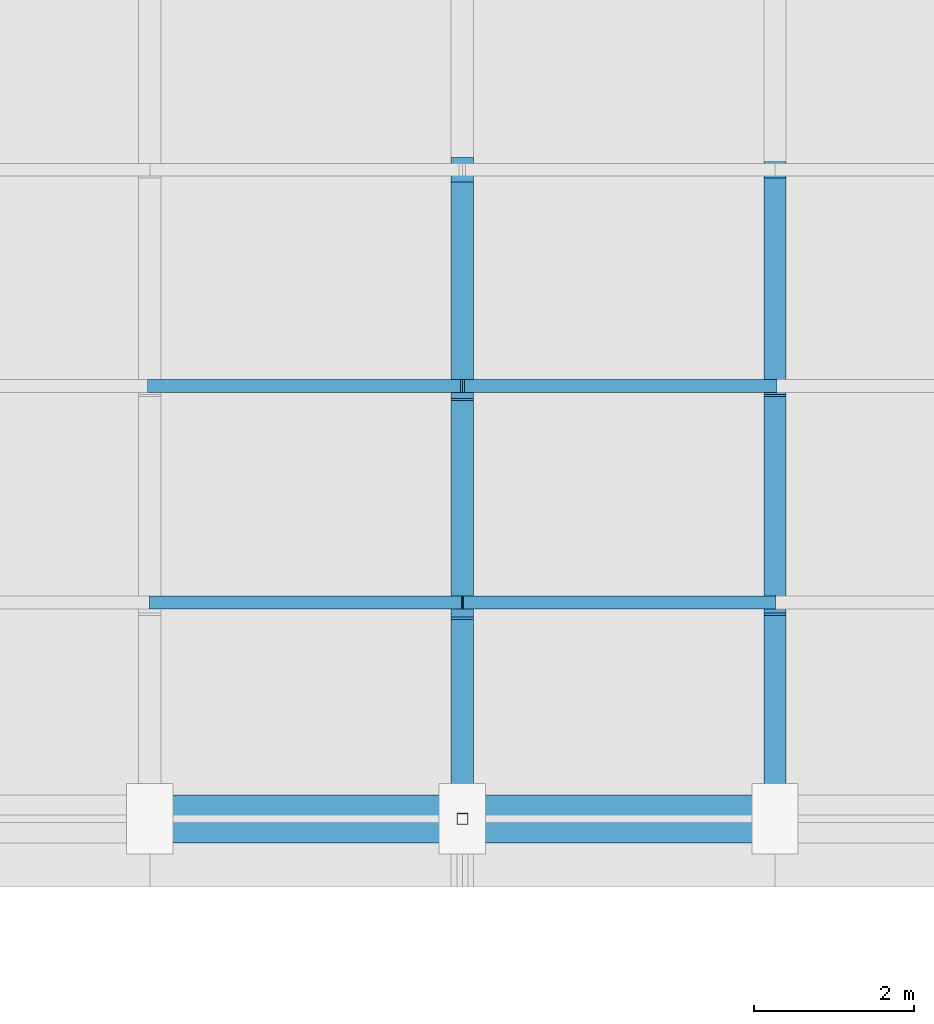
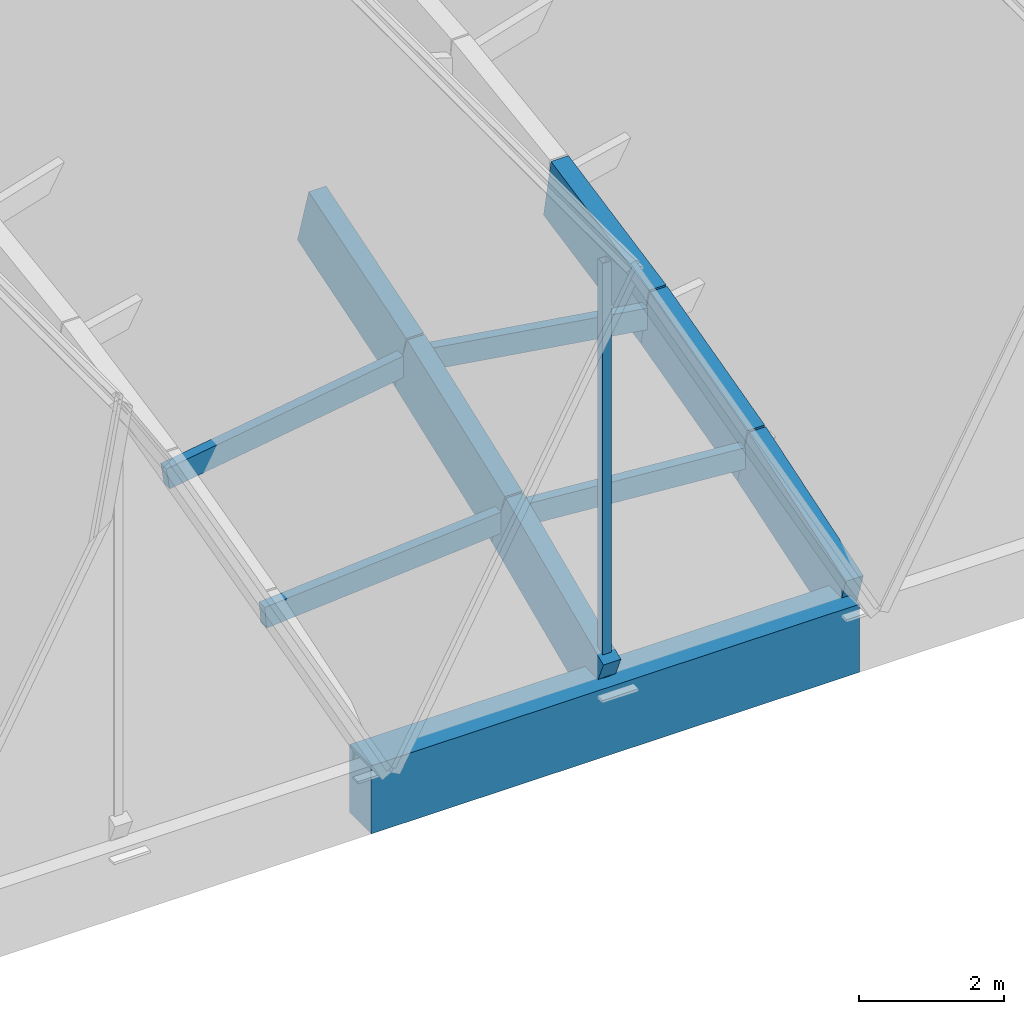
# One storey, part 5 of 39: 11 members, 1 beam.
"""IFC4 building model written with IfcOpenShell, lengths in metres."""

from ifc_helpers import new_model, si_unit, direction, frame, origin, origin_2d, place, context, subcontext, project, spatial, rectangle, hollow_rectangle, extrude, material, material_profile, profile_set, type_object, element, save


model = new_model("IFC4")

# Units and contexts
model_context = context("Model", 3, precision=1e-05, world=origin(), true_north=direction((0.0, 1.0)))
body_context = subcontext(model_context, "Body", "Model", "MODEL_VIEW")
ifc_project = project(units=[si_unit("LENGTHUNIT", "METRE"), si_unit("AREAUNIT", "SQUARE_METRE"), si_unit("VOLUMEUNIT", "CUBIC_METRE"), si_unit("PLANEANGLEUNIT", "RADIAN"), si_unit("MASSUNIT", "GRAM", prefix="KILO")], contexts=[model_context])

# Site, building, storey
site_placement = place(None, origin())
site = spatial("IfcSite", under=ifc_project, at=site_placement, CompositionType="ELEMENT")
building_placement = place(site_placement, origin())
building = spatial("IfcBuilding", under=site, at=building_placement, Name="Tizgana Railside Sports Hall", CompositionType="ELEMENT")
storey_placement = place(building_placement, frame((0.0, 0.0, 23.699951171875)))
storey = spatial("IfcBuildingStorey", under=building, at=storey_placement, Name="RF", CompositionType="ELEMENT", Elevation=23.699951171875)

# Beam
ifc_material_1 = material(Name="Concrete C40/50", Category="concrete")
ifc_material_profile_1 = material_profile(ifc_material_1, rectangle(XDim=0.60009765625, YDim=1.14990234375, at=origin_2d()), Name="RCB 600x1150")
ifc_profile_set_1 = profile_set([ifc_material_profile_1], Name="Concrete C40/50")
beam_type = type_object("IfcBeamType", Name="Concrete Beam RCB 600x1150", PredefinedType="BEAM", material=ifc_profile_set_1)
beam_placement = place(storey_placement, frame((23.39990234375, 40.800048828125, -8.675048828125), z_axis=(1.0, 0.0, 0.0), x_axis=(0.0, 1.0, 0.0)))
element("IfcBeam", 1, at=beam_placement, inside=storey, type_object=beam_type, Name="RF BEM-1213", PredefinedType="BEAM", context=body_context, shape_type="SweptSolid", body=[
    extrude(rectangle(XDim=0.60009765625, YDim=1.14990234375, at=origin_2d()), origin(), (0.0, 0.0, 1.0), 7.800048828125),
])

# Members
ifc_material_2 = material(Name="Glulam GL32h", Category="wood")
ifc_material_profile_2 = material_profile(ifc_material_2, rectangle(XDim=0.280029296875, YDim=1.050048828125, at=origin_2d()), Name="GL 280x1050")
ifc_profile_set_2 = profile_set([ifc_material_profile_2], Name="Glulam GL32h")
member_type_1 = type_object("IfcMemberType", Name="Glulam Arch Segment GL 280x1050", PredefinedType="USERDEFINED", material=ifc_profile_set_2)
member_1_placement = place(storey_placement, frame((27.300048828125, 40.800048828125, -8.25), z_axis=(0.0, 0.91644048833, 0.400171002635), x_axis=(-1.0, 0.0, 0.0)))
element("IfcMember", 2, at=member_1_placement, inside=storey, type_object=member_type_1, Name="RF V1 Arch Chord MEM-0115", ObjectType="ARCH_SEGMENT", PredefinedType="USERDEFINED", context=body_context, shape_type="SweptSolid", body=[
    extrude(rectangle(XDim=0.280029296875, YDim=1.050048828125, at=origin_2d()), origin(), (0.0, 0.0, 1.0), 2.946044921875),
])
member_2_placement = place(storey_placement, frame((27.300048828125, 43.5, -7.071044921875), z_axis=(0.0, 0.936999478025, 0.349330757564), x_axis=(-1.0, 0.0, 0.0)))
element("IfcMember", 3, at=member_2_placement, inside=storey, type_object=member_type_1, Name="RF V1 Arch Chord MEM-0116", ObjectType="ARCH_SEGMENT", PredefinedType="USERDEFINED", context=body_context, shape_type="SweptSolid", body=[
    extrude(rectangle(XDim=0.280029296875, YDim=1.050048828125, at=origin_2d()), origin(), (0.0, 0.0, 1.0), 2.881591796875),
])
member_3_placement = place(storey_placement, frame((27.300048828125, 46.199951171875, -6.064453125), z_axis=(0.0, 0.954601237081, 0.297886686786), x_axis=(-1.0, 0.0, 0.0)))
element("IfcMember", 4, at=member_3_placement, inside=storey, type_object=member_type_1, Name="RF V1 Arch Chord MEM-0117", ObjectType="ARCH_SEGMENT", PredefinedType="USERDEFINED", context=body_context, shape_type="SweptSolid", body=[
    extrude(rectangle(XDim=0.280029296875, YDim=1.050048828125, at=origin_2d()), origin(), (0.0, 0.0, 1.0), 2.828369140625),
])
member_4_placement = place(storey_placement, frame((31.199951171875, 40.800048828125, -8.25), z_axis=(0.0, 0.95088673489, 0.309539040203), x_axis=(-1.0, 0.0, 0.0)))
element("IfcMember", 5, at=member_4_placement, inside=storey, type_object=member_type_1, Name="RF V1 Arch Chord MEM-0128", ObjectType="ARCH_SEGMENT", PredefinedType="USERDEFINED", context=body_context, shape_type="SweptSolid", body=[
    extrude(rectangle(XDim=0.280029296875, YDim=1.050048828125, at=origin_2d()), origin(), (0.0, 0.0, 1.0), 2.83935546875),
])
member_5_placement = place(storey_placement, frame((31.199951171875, 43.5, -7.37109375), z_axis=(0.0, 0.96740233444, 0.253244394448), x_axis=(-1.0, 0.0, 0.0)))
element("IfcMember", 6, at=member_5_placement, inside=storey, type_object=member_type_1, Name="RF V1 Arch Chord MEM-0129", ObjectType="ARCH_SEGMENT", PredefinedType="USERDEFINED", context=body_context, shape_type="SweptSolid", body=[
    extrude(rectangle(XDim=0.280029296875, YDim=1.050048828125, at=origin_2d()), origin(), (0.0, 0.0, 1.0), 2.791015625),
])
member_6_placement = place(storey_placement, frame((31.199951171875, 46.199951171875, -6.664306640625), z_axis=(0.0, 0.980423512867, 0.196900318481), x_axis=(-1.0, 0.0, 0.0)))
element("IfcMember", 7, at=member_6_placement, inside=storey, type_object=member_type_1, Name="RF V1 Arch Chord MEM-0130", ObjectType="ARCH_SEGMENT", PredefinedType="USERDEFINED", context=body_context, shape_type="SweptSolid", body=[
    extrude(rectangle(XDim=0.280029296875, YDim=1.050048828125, at=origin_2d()), origin(), (0.0, 0.0, 1.0), 2.75390625),
])
ifc_material_3 = material(Name="Glulam GL28h", Category="wood")
ifc_material_profile_3 = material_profile(ifc_material_3, rectangle(XDim=0.159912109375, YDim=0.360107421875, at=origin_2d()), Name="GL 160x360")
ifc_profile_set_3 = profile_set([ifc_material_profile_3], Name="Glulam GL28h")
member_type_2 = type_object("IfcMemberType", Name="Glulam Roof Purlin GL 160x360", PredefinedType="PURLIN", material=ifc_profile_set_3)
member_7_placement = place(storey_placement, frame((23.39990234375, 43.5, -7.37109375), z_axis=(0.997053751181, 0.0, 0.076706044457), x_axis=(0.0, 1.0, 0.0)))
element("IfcMember", 8, at=member_7_placement, inside=storey, type_object=member_type_2, Name="RF V1 Purlin MEM-0302", PredefinedType="PURLIN", context=body_context, shape_type="SweptSolid", body=[
    extrude(rectangle(XDim=0.159912109375, YDim=0.360107421875, at=origin_2d()), origin(), (0.0, 0.0, 1.0), 3.91162109375),
])
member_8_placement = place(storey_placement, frame((27.300048828125, 43.5, -7.071044921875), z_axis=(0.997053383918, 0.0, -0.076710818132), x_axis=(0.0, 1.0, 0.0)))
element("IfcMember", 9, at=member_8_placement, inside=storey, type_object=member_type_2, Name="RF V1 Purlin MEM-0303", PredefinedType="PURLIN", context=body_context, shape_type="SweptSolid", body=[
    extrude(rectangle(XDim=0.159912109375, YDim=0.360107421875, at=origin_2d()), origin(), (0.0, 0.0, 1.0), 3.911376953125),
])
member_9_placement = place(storey_placement, frame((23.39990234375, 46.199951171875, -6.664306640625), z_axis=(0.988378134138, 0.0, 0.152015341194), x_axis=(0.0, 1.0, 0.0)))
element("IfcMember", 10, at=member_9_placement, inside=storey, type_object=member_type_2, Name="RF V1 Purlin MEM-0304", PredefinedType="PURLIN", context=body_context, shape_type="SweptSolid", body=[
    extrude(rectangle(XDim=0.159912109375, YDim=0.360107421875, at=origin_2d()), origin(), (0.0, 0.0, 1.0), 3.946044921875),
])
member_10_placement = place(storey_placement, frame((27.300048828125, 46.199951171875, -6.064453125), z_axis=(0.988376704266, 0.0, -0.152024637685), x_axis=(0.0, 1.0, 0.0)))
element("IfcMember", 11, at=member_10_placement, inside=storey, type_object=member_type_2, Name="RF V1 Purlin MEM-0305", PredefinedType="PURLIN", context=body_context, shape_type="SweptSolid", body=[
    extrude(rectangle(XDim=0.159912109375, YDim=0.360107421875, at=origin_2d()), origin(), (0.0, 0.0, 1.0), 3.94580078125),
])
ifc_material_4 = material(Name="Steel S355J2", Category="steel")
ifc_material_profile_4 = material_profile(ifc_material_4, hollow_rectangle(XDim=0.139892578125, YDim=0.139892578125, WallThickness=0.008056640625, at=origin_2d()), Name="SHS 140x140x8")
ifc_profile_set_4 = profile_set([ifc_material_profile_4], Name="Steel S355J2")
member_type_3 = type_object("IfcMemberType", Name="Steel Brace SHS 140x140x8", PredefinedType="BRACE", material=ifc_profile_set_4)
member_11_placement = place(storey_placement, frame((27.300048828125, 40.800048828125, -8.300048828125), z_axis=(0.0, 0.0, 1.0), x_axis=(1.0, 0.0, 0.0)))
element("IfcMember", 12, at=member_11_placement, inside=storey, type_object=member_type_3, Name="RF King Post", PredefinedType="BRACE", context=body_context, shape_type="SweptSolid", body=[
    extrude(hollow_rectangle(XDim=0.139892578125, YDim=0.139892578125, WallThickness=0.008056640625, at=origin_2d()), origin(), (0.0, 0.0, 1.0), 7.2001953125),
])

save(model, "model.ifc")
